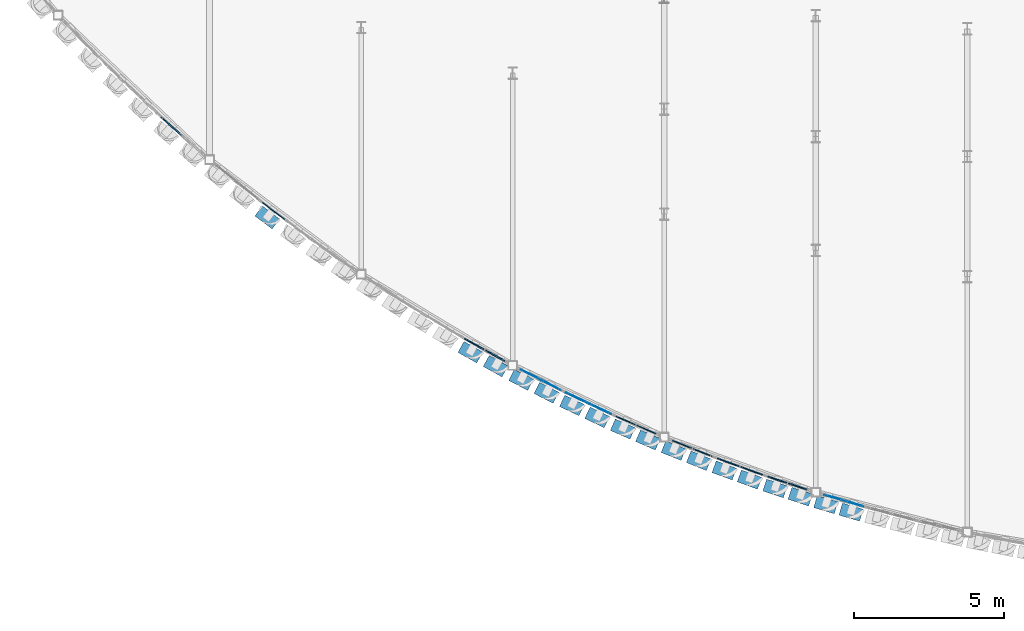
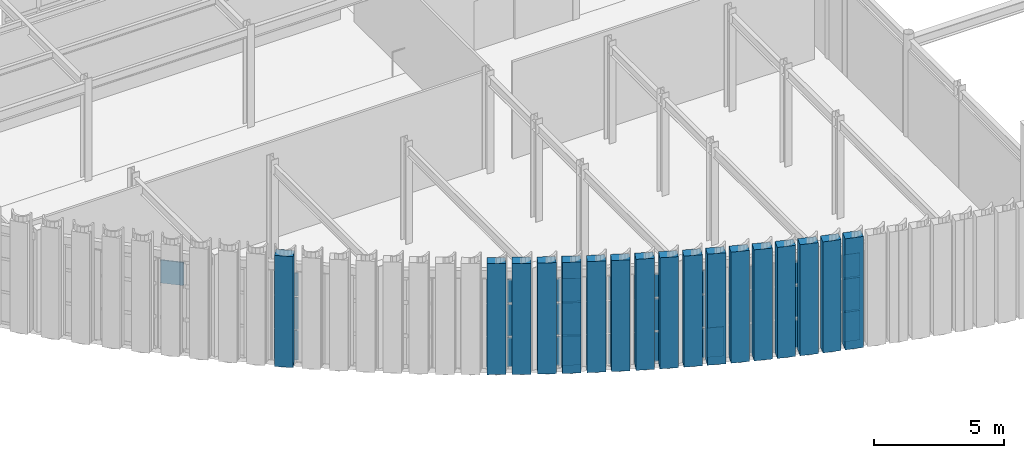
# One storey, part 81 of 126: 67 plates, 10 elements without a shape of their own.
"""IFC4 building model written with IfcOpenShell, lengths in metres."""

from ifc_helpers import new_model, si_unit, direction, frame, origin, origin_2d, place, context, subcontext, project, spatial, rectangle, extrude, material, layer, layer_set, type_object, element, aggregate, save


model = new_model("IFC4")

# Units and contexts
model_context = context("Model", 3, precision=1e-05, world=origin(), true_north=direction((0.0, 1.0)))
body_context = subcontext(model_context, "Body", "Model", "MODEL_VIEW")
ifc_project = project(units=[si_unit("LENGTHUNIT", "METRE"), si_unit("AREAUNIT", "SQUARE_METRE"), si_unit("VOLUMEUNIT", "CUBIC_METRE"), si_unit("PLANEANGLEUNIT", "RADIAN"), si_unit("MASSUNIT", "GRAM", prefix="KILO")], contexts=[model_context])

# Site, building, storey
site_placement = place(None, origin())
site = spatial("IfcSite", under=ifc_project, at=site_placement, CompositionType="ELEMENT")
building_placement = place(site_placement, origin())
building = spatial("IfcBuilding", under=site, at=building_placement, Name="Solvadek Multi-Sports Hall", CompositionType="ELEMENT")
storey_placement = place(building_placement, frame((0.0, 0.0, 9.60009765625)))
storey = spatial("IfcBuildingStorey", under=building, at=storey_placement, Name="L02", CompositionType="ELEMENT", Elevation=9.60009765625)

# Curtain wall, plates
ifc_material_1 = material(Name="Anodised aluminium", Category="aluminium")
ifc_layer_1 = layer(ifc_material_1, 0.159912109375, Name="Anodised aluminium")
ifc_layer_set_1 = layer_set([ifc_layer_1], Name="Anodised aluminium")
curtain_wall_type_1 = type_object("IfcCurtainWallType", Name="ENV-CW-163X420", PredefinedType="USERDEFINED", material=ifc_layer_set_1)
curtain_wall_1_placement = place(storey_placement, origin())
curtain_wall_1 = element("IfcCurtainWall", 1, at=curtain_wall_1_placement, inside=storey, type_object=curtain_wall_type_1, Name="L02 Crescent Curved Curtain Wall #32", ObjectType="CURTAIN WALL", PredefinedType="USERDEFINED")
ifc_material_2 = material(Name="Tempered laminated low-E glass", Category="glass")
ifc_layer_2 = layer(ifc_material_2, 0.02392578125, Name="Tempered laminated low-E glass")
ifc_layer_set_2 = layer_set([ifc_layer_2], Name="Tempered laminated low-E glass")
plate_type_1 = type_object("IfcPlateType", Name="ENV-CWP-01", PredefinedType="CURTAIN_PANEL", material=ifc_layer_set_2)
plate_1_placement = place(storey_placement, frame((52.34716796875, -6.626953125, 0.06494140625), z_axis=(0.0, 0.0, 1.0), x_axis=(0.889417075143, -0.457096561401, 0.0)))
plate_1 = element("IfcPlate", 2, at=plate_1_placement, type_object=plate_type_1, Name="CW-15 panel 1.1", PredefinedType="CURTAIN_PANEL", context=body_context, shape_type="SweptSolid", body=[
    extrude(rectangle(XDim=0.7158203125, YDim=0.02392578125, at=origin_2d()), origin(), (0.0, 0.0, 1.0), 1.37255859375),
])
plate_2_placement = place(storey_placement, frame((52.34716796875, -6.626953125, 1.50244140625), z_axis=(0.0, 0.0, 1.0), x_axis=(0.889417075143, -0.457096561401, 0.0)))
plate_2 = element("IfcPlate", 3, at=plate_2_placement, type_object=plate_type_1, Name="CW-15 panel 1.2", PredefinedType="CURTAIN_PANEL", context=body_context, shape_type="SweptSolid", body=[
    extrude(rectangle(XDim=0.7158203125, YDim=0.02392578125, at=origin_2d()), origin(), (0.0, 0.0, 1.0), 1.489013671875),
])
plate_3_placement = place(storey_placement, frame((52.34716796875, -6.626953125, 3.056396484375), z_axis=(0.0, 0.0, 1.0), x_axis=(0.889417075143, -0.457096561401, 0.0)))
plate_3 = element("IfcPlate", 4, at=plate_3_placement, type_object=plate_type_1, Name="CW-15 panel 1.3", PredefinedType="CURTAIN_PANEL", context=body_context, shape_type="SweptSolid", body=[
    extrude(rectangle(XDim=0.7158203125, YDim=0.02392578125, at=origin_2d()), origin(), (0.0, 0.0, 1.0), 1.07861328125),
])
plate_4_placement = place(storey_placement, frame((53.041748046875, -6.98388671875, 0.06494140625), z_axis=(0.0, 0.0, 1.0), x_axis=(0.889417075143, -0.457096561401, 0.0)))
plate_4 = element("IfcPlate", 5, at=plate_4_placement, type_object=plate_type_1, Name="CW-15 panel 2.1", PredefinedType="CURTAIN_PANEL", context=body_context, shape_type="SweptSolid", body=[
    extrude(rectangle(XDim=0.7158203125, YDim=0.02392578125, at=origin_2d()), origin(), (0.0, 0.0, 1.0), 1.37255859375),
])
plate_5_placement = place(storey_placement, frame((53.041748046875, -6.98388671875, 1.50244140625), z_axis=(0.0, 0.0, 1.0), x_axis=(0.889417075143, -0.457096561401, 0.0)))
plate_5 = element("IfcPlate", 6, at=plate_5_placement, type_object=plate_type_1, Name="CW-15 panel 2.2", PredefinedType="CURTAIN_PANEL", context=body_context, shape_type="SweptSolid", body=[
    extrude(rectangle(XDim=0.7158203125, YDim=0.02392578125, at=origin_2d()), origin(), (0.0, 0.0, 1.0), 1.489013671875),
])
plate_6_placement = place(storey_placement, frame((53.041748046875, -6.98388671875, 3.056396484375), z_axis=(0.0, 0.0, 1.0), x_axis=(0.889417075143, -0.457096561401, 0.0)))
plate_6 = element("IfcPlate", 7, at=plate_6_placement, type_object=plate_type_1, Name="CW-15 panel 2.3", PredefinedType="CURTAIN_PANEL", context=body_context, shape_type="SweptSolid", body=[
    extrude(rectangle(XDim=0.7158203125, YDim=0.02392578125, at=origin_2d()), origin(), (0.0, 0.0, 1.0), 1.07861328125),
])
aggregate(curtain_wall_1, [plate_1, plate_2, plate_3, plate_4, plate_5, plate_6])

ifc_layer_3 = layer(ifc_material_1, 0.159912109375, Name="Anodised aluminium")
ifc_layer_set_3 = layer_set([ifc_layer_3], Name="Anodised aluminium")
curtain_wall_type_2 = type_object("IfcCurtainWallType", Name="ENV-CW-149X420", PredefinedType="USERDEFINED", material=ifc_layer_set_3)
curtain_wall_2_placement = place(storey_placement, origin())
curtain_wall_2 = element("IfcCurtainWall", 8, at=curtain_wall_2_placement, inside=storey, type_object=curtain_wall_type_2, Name="L02 Crescent Curved Curtain Wall #44", ObjectType="CURTAIN WALL", PredefinedType="USERDEFINED")
plate_7_placement = place(storey_placement, frame((62.482666015625, -10.740966796875, 0.06005859375), z_axis=(0.0, 0.0, 1.0), x_axis=(0.959068713434, -0.283173450223, 0.0)))
plate_7 = element("IfcPlate", 9, at=plate_7_placement, type_object=plate_type_1, Name="CW-21 panel 1.1", PredefinedType="CURTAIN_PANEL", context=body_context, shape_type="SweptSolid", body=[
    extrude(rectangle(XDim=0.639404296875, YDim=0.02392578125, at=origin_2d()), origin(), (0.0, 0.0, 1.0), 1.3798828125),
])
plate_8_placement = place(storey_placement, frame((62.482666015625, -10.740966796875, 1.5), z_axis=(0.0, 0.0, 1.0), x_axis=(0.959068713434, -0.283173450223, 0.0)))
plate_8 = element("IfcPlate", 10, at=plate_8_placement, type_object=plate_type_1, Name="CW-21 panel 1.2", PredefinedType="CURTAIN_PANEL", context=body_context, shape_type="SweptSolid", body=[
    extrude(rectangle(XDim=0.639404296875, YDim=0.02392578125, at=origin_2d()), origin(), (0.0, 0.0, 1.0), 1.493896484375),
])
plate_9_placement = place(storey_placement, frame((62.482666015625, -10.740966796875, 3.053955078125), z_axis=(0.0, 0.0, 1.0), x_axis=(0.959068713434, -0.283173450223, 0.0)))
plate_9 = element("IfcPlate", 11, at=plate_9_placement, type_object=plate_type_1, Name="CW-21 panel 1.3", PredefinedType="CURTAIN_PANEL", context=body_context, shape_type="SweptSolid", body=[
    extrude(rectangle(XDim=0.639404296875, YDim=0.02392578125, at=origin_2d()), origin(), (0.0, 0.0, 1.0), 1.0859375),
])
plate_10_placement = place(storey_placement, frame((63.1630859375, -10.94189453125, 0.06005859375), z_axis=(0.0, 0.0, 1.0), x_axis=(0.959068713434, -0.283173450223, 0.0)))
plate_10 = element("IfcPlate", 12, at=plate_10_placement, type_object=plate_type_1, Name="CW-21 panel 2.1", PredefinedType="CURTAIN_PANEL", context=body_context, shape_type="SweptSolid", body=[
    extrude(rectangle(XDim=0.639404296875, YDim=0.02392578125, at=origin_2d()), origin(), (0.0, 0.0, 1.0), 1.3798828125),
])
plate_11_placement = place(storey_placement, frame((63.1630859375, -10.94189453125, 1.5), z_axis=(0.0, 0.0, 1.0), x_axis=(0.959068713434, -0.283173450223, 0.0)))
plate_11 = element("IfcPlate", 13, at=plate_11_placement, type_object=plate_type_1, Name="CW-21 panel 2.2", PredefinedType="CURTAIN_PANEL", context=body_context, shape_type="SweptSolid", body=[
    extrude(rectangle(XDim=0.639404296875, YDim=0.02392578125, at=origin_2d()), origin(), (0.0, 0.0, 1.0), 1.493896484375),
])
plate_12_placement = place(storey_placement, frame((63.1630859375, -10.94189453125, 3.053955078125), z_axis=(0.0, 0.0, 1.0), x_axis=(0.959068713434, -0.283173450223, 0.0)))
plate_12 = element("IfcPlate", 14, at=plate_12_placement, type_object=plate_type_1, Name="CW-21 panel 2.3", PredefinedType="CURTAIN_PANEL", context=body_context, shape_type="SweptSolid", body=[
    extrude(rectangle(XDim=0.639404296875, YDim=0.02392578125, at=origin_2d()), origin(), (0.0, 0.0, 1.0), 1.0859375),
])
aggregate(curtain_wall_2, [plate_7, plate_8, plate_9, plate_10, plate_11, plate_12])

ifc_layer_4 = layer(ifc_material_1, 0.159912109375, Name="Anodised aluminium")
ifc_layer_set_4 = layer_set([ifc_layer_4], Name="Anodised aluminium")
curtain_wall_type_3 = type_object("IfcCurtainWallType", Name="ENV-CW-205X420", PredefinedType="USERDEFINED", material=ifc_layer_set_4)
curtain_wall_3_placement = place(storey_placement, origin())
curtain_wall_3 = element("IfcCurtainWall", 15, at=curtain_wall_3_placement, inside=storey, type_object=curtain_wall_type_3, Name="L02 Crescent Curved Curtain Wall #22", ObjectType="CURTAIN WALL", PredefinedType="USERDEFINED")
ifc_layer_5 = layer(ifc_material_2, 0.028076171875, Name="Tempered laminated low-E glass")
ifc_layer_set_5 = layer_set([ifc_layer_5], Name="Tempered laminated low-E glass")
plate_type_2 = type_object("IfcPlateType", Name="ENV-CWP-02", PredefinedType="CURTAIN_PANEL", material=ifc_layer_set_5)
plate_13_placement = place(storey_placement, frame((43.77001953125, -1.16357421875, 0.06005859375), z_axis=(0.0, 0.0, 1.0), x_axis=(0.798477265694, -0.602024963078, 0.0)))
plate_13 = element("IfcPlate", 16, at=plate_13_placement, type_object=plate_type_2, Name="CW-10 panel 1.1", PredefinedType="CURTAIN_PANEL", context=body_context, shape_type="SweptSolid", body=[
    extrude(rectangle(XDim=0.9287109375, YDim=0.028076171875, at=origin_2d()), origin(), (0.0, 0.0, 1.0), 1.3798828125),
])
plate_14_placement = place(storey_placement, frame((43.77001953125, -1.16357421875, 1.5), z_axis=(0.0, 0.0, 1.0), x_axis=(0.798477265694, -0.602024963078, 0.0)))
plate_14 = element("IfcPlate", 17, at=plate_14_placement, type_object=plate_type_2, Name="CW-10 panel 1.2", PredefinedType="CURTAIN_PANEL", context=body_context, shape_type="SweptSolid", body=[
    extrude(rectangle(XDim=0.9287109375, YDim=0.028076171875, at=origin_2d()), origin(), (0.0, 0.0, 1.0), 1.493896484375),
])
plate_15_placement = place(storey_placement, frame((43.77001953125, -1.16357421875, 3.053955078125), z_axis=(0.0, 0.0, 1.0), x_axis=(0.798477265694, -0.602024963078, 0.0)))
plate_15 = element("IfcPlate", 18, at=plate_15_placement, type_object=plate_type_2, Name="CW-10 panel 1.3", PredefinedType="CURTAIN_PANEL", context=body_context, shape_type="SweptSolid", body=[
    extrude(rectangle(XDim=0.9287109375, YDim=0.028076171875, at=origin_2d()), origin(), (0.0, 0.0, 1.0), 1.0859375),
])
aggregate(curtain_wall_3, [plate_13, plate_14, plate_15])

ifc_layer_6 = layer(ifc_material_1, 0.159912109375, Name="Anodised aluminium")
ifc_layer_set_6 = layer_set([ifc_layer_6], Name="Anodised aluminium")
curtain_wall_type_4 = type_object("IfcCurtainWallType", Name="ENV-CW-181X420", PredefinedType="USERDEFINED", material=ifc_layer_set_6)
curtain_wall_4_placement = place(storey_placement, origin())
curtain_wall_4 = element("IfcCurtainWall", 19, at=curtain_wall_4_placement, inside=storey, type_object=curtain_wall_type_4, Name="L02 Crescent Curved Curtain Wall #34", ObjectType="CURTAIN WALL", PredefinedType="USERDEFINED")
plate_16_placement = place(storey_placement, frame((53.8955078125, -7.404541015625, 0.06494140625), z_axis=(0.0, 0.0, 1.0), x_axis=(0.903702895487, -0.428160106372, 0.0)))
plate_16 = element("IfcPlate", 20, at=plate_16_placement, type_object=plate_type_2, Name="CW-16 panel 1.1", PredefinedType="CURTAIN_PANEL", context=body_context, shape_type="SweptSolid", body=[
    extrude(rectangle(XDim=0.79833984375, YDim=0.028076171875, at=origin_2d()), origin(), (0.0, 0.0, 1.0), 1.37255859375),
])
plate_17_placement = place(storey_placement, frame((53.8955078125, -7.404541015625, 1.50244140625), z_axis=(0.0, 0.0, 1.0), x_axis=(0.903702895487, -0.428160106372, 0.0)))
plate_17 = element("IfcPlate", 21, at=plate_17_placement, type_object=plate_type_2, Name="CW-16 panel 1.2", PredefinedType="CURTAIN_PANEL", context=body_context, shape_type="SweptSolid", body=[
    extrude(rectangle(XDim=0.79833984375, YDim=0.028076171875, at=origin_2d()), origin(), (0.0, 0.0, 1.0), 1.489013671875),
])
plate_18_placement = place(storey_placement, frame((53.8955078125, -7.404541015625, 3.056396484375), z_axis=(0.0, 0.0, 1.0), x_axis=(0.903702895487, -0.428160106372, 0.0)))
plate_18 = element("IfcPlate", 22, at=plate_18_placement, type_object=plate_type_2, Name="CW-16 panel 1.3", PredefinedType="CURTAIN_PANEL", context=body_context, shape_type="SweptSolid", body=[
    extrude(rectangle(XDim=0.79833984375, YDim=0.028076171875, at=origin_2d()), origin(), (0.0, 0.0, 1.0), 1.07861328125),
])
plate_19_placement = place(storey_placement, frame((54.68017578125, -7.7763671875, 0.06494140625), z_axis=(0.0, 0.0, 1.0), x_axis=(0.903702895487, -0.428160106372, 0.0)))
plate_19 = element("IfcPlate", 23, at=plate_19_placement, type_object=plate_type_2, Name="CW-16 panel 2.1", PredefinedType="CURTAIN_PANEL", context=body_context, shape_type="SweptSolid", body=[
    extrude(rectangle(XDim=0.79833984375, YDim=0.028076171875, at=origin_2d()), origin(), (0.0, 0.0, 1.0), 1.37255859375),
])
plate_20_placement = place(storey_placement, frame((54.68017578125, -7.7763671875, 1.50244140625), z_axis=(0.0, 0.0, 1.0), x_axis=(0.903702895487, -0.428160106372, 0.0)))
plate_20 = element("IfcPlate", 24, at=plate_20_placement, type_object=plate_type_2, Name="CW-16 panel 2.2", PredefinedType="CURTAIN_PANEL", context=body_context, shape_type="SweptSolid", body=[
    extrude(rectangle(XDim=0.79833984375, YDim=0.028076171875, at=origin_2d()), origin(), (0.0, 0.0, 1.0), 1.489013671875),
])
plate_21_placement = place(storey_placement, frame((54.68017578125, -7.7763671875, 3.056396484375), z_axis=(0.0, 0.0, 1.0), x_axis=(0.903702895487, -0.428160106372, 0.0)))
plate_21 = element("IfcPlate", 25, at=plate_21_placement, type_object=plate_type_2, Name="CW-16 panel 2.3", PredefinedType="CURTAIN_PANEL", context=body_context, shape_type="SweptSolid", body=[
    extrude(rectangle(XDim=0.79833984375, YDim=0.028076171875, at=origin_2d()), origin(), (0.0, 0.0, 1.0), 1.07861328125),
])
aggregate(curtain_wall_4, [plate_16, plate_17, plate_18, plate_19, plate_20, plate_21])

ifc_layer_7 = layer(ifc_material_1, 0.159912109375, Name="Anodised aluminium")
ifc_layer_set_7 = layer_set([ifc_layer_7], Name="Anodised aluminium")
curtain_wall_type_5 = type_object("IfcCurtainWallType", Name="ENV-CW-157X420", PredefinedType="USERDEFINED", material=ifc_layer_set_7)
curtain_wall_5_placement = place(storey_placement, origin())
curtain_wall_5 = element("IfcCurtainWall", 26, at=curtain_wall_5_placement, inside=storey, type_object=curtain_wall_type_5, Name="L02 Crescent Curved Curtain Wall #36", ObjectType="CURTAIN WALL", PredefinedType="USERDEFINED")
ifc_layer_8 = layer(ifc_material_2, 0.031982421875, Name="Tempered laminated low-E glass")
ifc_layer_set_8 = layer_set([ifc_layer_8], Name="Tempered laminated low-E glass")
plate_type_3 = type_object("IfcPlateType", Name="ENV-CWP-03", PredefinedType="CURTAIN_PANEL", material=ifc_layer_set_8)
plate_22_placement = place(storey_placement, frame((55.532470703125, -8.16455078125, 0.06005859375), z_axis=(0.0, 0.0, 1.0), x_axis=(0.916926176116, -0.399056872581, 0.0)))
plate_22 = element("IfcPlate", 27, at=plate_22_placement, type_object=plate_type_3, Name="CW-17 panel 1.1", PredefinedType="CURTAIN_PANEL", context=body_context, shape_type="SweptSolid", body=[
    extrude(rectangle(XDim=0.69482421875, YDim=0.031982421875, at=origin_2d()), origin(), (0.0, 0.0, 1.0), 1.3798828125),
])
plate_23_placement = place(storey_placement, frame((55.532470703125, -8.16455078125, 1.5), z_axis=(0.0, 0.0, 1.0), x_axis=(0.916926176116, -0.399056872581, 0.0)))
plate_23 = element("IfcPlate", 28, at=plate_23_placement, type_object=plate_type_3, Name="CW-17 panel 1.2", PredefinedType="CURTAIN_PANEL", context=body_context, shape_type="SweptSolid", body=[
    extrude(rectangle(XDim=0.69482421875, YDim=0.031982421875, at=origin_2d()), origin(), (0.0, 0.0, 1.0), 1.493896484375),
])
plate_24_placement = place(storey_placement, frame((55.532470703125, -8.16455078125, 3.053955078125), z_axis=(0.0, 0.0, 1.0), x_axis=(0.916926176116, -0.399056872581, 0.0)))
plate_24 = element("IfcPlate", 29, at=plate_24_placement, type_object=plate_type_3, Name="CW-17 panel 1.3", PredefinedType="CURTAIN_PANEL", context=body_context, shape_type="SweptSolid", body=[
    extrude(rectangle(XDim=0.69482421875, YDim=0.031982421875, at=origin_2d()), origin(), (0.0, 0.0, 1.0), 1.0859375),
])
plate_25_placement = place(storey_placement, frame((56.224609375, -8.4658203125, 0.06005859375), z_axis=(0.0, 0.0, 1.0), x_axis=(0.916926176116, -0.399056872581, 0.0)))
plate_25 = element("IfcPlate", 30, at=plate_25_placement, type_object=plate_type_3, Name="CW-17 panel 2.1", PredefinedType="CURTAIN_PANEL", context=body_context, shape_type="SweptSolid", body=[
    extrude(rectangle(XDim=0.69482421875, YDim=0.031982421875, at=origin_2d()), origin(), (0.0, 0.0, 1.0), 1.3798828125),
])
plate_26_placement = place(storey_placement, frame((56.224609375, -8.4658203125, 1.5), z_axis=(0.0, 0.0, 1.0), x_axis=(0.916926176116, -0.399056872581, 0.0)))
plate_26 = element("IfcPlate", 31, at=plate_26_placement, type_object=plate_type_3, Name="CW-17 panel 2.2", PredefinedType="CURTAIN_PANEL", context=body_context, shape_type="SweptSolid", body=[
    extrude(rectangle(XDim=0.69482421875, YDim=0.031982421875, at=origin_2d()), origin(), (0.0, 0.0, 1.0), 1.493896484375),
])
plate_27_placement = place(storey_placement, frame((56.224609375, -8.4658203125, 3.053955078125), z_axis=(0.0, 0.0, 1.0), x_axis=(0.916926176116, -0.399056872581, 0.0)))
plate_27 = element("IfcPlate", 32, at=plate_27_placement, type_object=plate_type_3, Name="CW-17 panel 2.3", PredefinedType="CURTAIN_PANEL", context=body_context, shape_type="SweptSolid", body=[
    extrude(rectangle(XDim=0.69482421875, YDim=0.031982421875, at=origin_2d()), origin(), (0.0, 0.0, 1.0), 1.0859375),
])
aggregate(curtain_wall_5, [plate_22, plate_23, plate_24, plate_25, plate_26, plate_27])

ifc_layer_9 = layer(ifc_material_1, 0.159912109375, Name="Anodised aluminium")
ifc_layer_set_9 = layer_set([ifc_layer_9], Name="Anodised aluminium")
curtain_wall_type_6 = type_object("IfcCurtainWallType", Name="ENV-CW-155X420", PredefinedType="USERDEFINED", material=ifc_layer_set_9)
curtain_wall_6_placement = place(storey_placement, origin())
curtain_wall_6 = element("IfcCurtainWall", 33, at=curtain_wall_6_placement, inside=storey, type_object=curtain_wall_type_6, Name="L02 Crescent Curved Curtain Wall #38", ObjectType="CURTAIN WALL", PredefinedType="USERDEFINED")
ifc_layer_10 = layer(ifc_material_2, 0.035888671875, Name="Tempered laminated low-E glass")
ifc_layer_set_10 = layer_set([ifc_layer_10], Name="Tempered laminated low-E glass")
plate_type_4 = type_object("IfcPlateType", Name="ENV-CWP-04", PredefinedType="CURTAIN_PANEL", material=ifc_layer_set_10)
plate_28_placement = place(storey_placement, frame((57.4140625, -8.961669921875, 0.06005859375), z_axis=(0.0, 0.0, 1.0), x_axis=(0.928966641619, -0.370163448708, 0.0)))
plate_28 = element("IfcPlate", 34, at=plate_28_placement, type_object=plate_type_4, Name="CW-18 panel 1.1", PredefinedType="CURTAIN_PANEL", context=body_context, shape_type="SweptSolid", body=[
    extrude(rectangle(XDim=0.682861328125, YDim=0.035888671875, at=origin_2d()), origin(), (0.0, 0.0, 1.0), 1.3798828125),
])
plate_29_placement = place(storey_placement, frame((57.4140625, -8.961669921875, 1.5), z_axis=(0.0, 0.0, 1.0), x_axis=(0.928966641619, -0.370163448708, 0.0)))
plate_29 = element("IfcPlate", 35, at=plate_29_placement, type_object=plate_type_4, Name="CW-18 panel 1.2", PredefinedType="CURTAIN_PANEL", context=body_context, shape_type="SweptSolid", body=[
    extrude(rectangle(XDim=0.682861328125, YDim=0.035888671875, at=origin_2d()), origin(), (0.0, 0.0, 1.0), 1.493896484375),
])
plate_30_placement = place(storey_placement, frame((57.4140625, -8.961669921875, 3.053955078125), z_axis=(0.0, 0.0, 1.0), x_axis=(0.928966641619, -0.370163448708, 0.0)))
plate_30 = element("IfcPlate", 36, at=plate_30_placement, type_object=plate_type_4, Name="CW-18 panel 1.3", PredefinedType="CURTAIN_PANEL", context=body_context, shape_type="SweptSolid", body=[
    extrude(rectangle(XDim=0.682861328125, YDim=0.035888671875, at=origin_2d()), origin(), (0.0, 0.0, 1.0), 1.0859375),
])
plate_31_placement = place(storey_placement, frame((58.104248046875, -9.236572265625, 0.06005859375), z_axis=(0.0, 0.0, 1.0), x_axis=(0.928966641619, -0.370163448708, 0.0)))
plate_31 = element("IfcPlate", 37, at=plate_31_placement, type_object=plate_type_4, Name="CW-18 panel 2.1", PredefinedType="CURTAIN_PANEL", context=body_context, shape_type="SweptSolid", body=[
    extrude(rectangle(XDim=0.682861328125, YDim=0.035888671875, at=origin_2d()), origin(), (0.0, 0.0, 1.0), 1.3798828125),
])
aggregate(curtain_wall_6, [plate_28, plate_29, plate_30, plate_31])

ifc_layer_11 = layer(ifc_material_1, 0.159912109375, Name="Anodised aluminium")
ifc_layer_set_11 = layer_set([ifc_layer_11], Name="Anodised aluminium")
curtain_wall_type_7 = type_object("IfcCurtainWallType", Name="ENV-CW-173X420", PredefinedType="USERDEFINED", material=ifc_layer_set_11)
curtain_wall_7_placement = place(storey_placement, origin())
curtain_wall_7 = element("IfcCurtainWall", 38, at=curtain_wall_7_placement, inside=storey, type_object=curtain_wall_type_7, Name="L02 Crescent Curved Curtain Wall #40", ObjectType="CURTAIN WALL", PredefinedType="USERDEFINED")
ifc_layer_12 = layer(ifc_material_2, 0.0419921875, Name="Tempered laminated low-E glass")
ifc_layer_set_12 = layer_set([ifc_layer_12], Name="Tempered laminated low-E glass")
plate_type_5 = type_object("IfcPlateType", Name="ENV-CWP-05", PredefinedType="CURTAIN_PANEL", material=ifc_layer_set_12)
plate_32_placement = place(storey_placement, frame((58.9560546875, -9.56005859375, 0.06494140625), z_axis=(0.0, 0.0, 1.0), x_axis=(0.939991897727, -0.341196764651, 0.0)))
plate_32 = element("IfcPlate", 39, at=plate_32_placement, type_object=plate_type_5, Name="CW-19 panel 1.1", PredefinedType="CURTAIN_PANEL", context=body_context, shape_type="SweptSolid", body=[
    extrude(rectangle(XDim=0.769775390625, YDim=0.0419921875, at=origin_2d()), origin(), (0.0, 0.0, 1.0), 1.37255859375),
])
plate_33_placement = place(storey_placement, frame((58.9560546875, -9.56005859375, 1.50244140625), z_axis=(0.0, 0.0, 1.0), x_axis=(0.939991897727, -0.341196764651, 0.0)))
plate_33 = element("IfcPlate", 40, at=plate_33_placement, type_object=plate_type_5, Name="CW-19 panel 1.2", PredefinedType="CURTAIN_PANEL", context=body_context, shape_type="SweptSolid", body=[
    extrude(rectangle(XDim=0.769775390625, YDim=0.0419921875, at=origin_2d()), origin(), (0.0, 0.0, 1.0), 1.489013671875),
])
plate_34_placement = place(storey_placement, frame((58.9560546875, -9.56005859375, 3.056396484375), z_axis=(0.0, 0.0, 1.0), x_axis=(0.939991897727, -0.341196764651, 0.0)))
plate_34 = element("IfcPlate", 41, at=plate_34_placement, type_object=plate_type_5, Name="CW-19 panel 1.3", PredefinedType="CURTAIN_PANEL", context=body_context, shape_type="SweptSolid", body=[
    extrude(rectangle(XDim=0.769775390625, YDim=0.0419921875, at=origin_2d()), origin(), (0.0, 0.0, 1.0), 1.07861328125),
])
plate_35_placement = place(storey_placement, frame((59.74072265625, -9.8447265625, 0.06494140625), z_axis=(0.0, 0.0, 1.0), x_axis=(0.939991897727, -0.341196764651, 0.0)))
plate_35 = element("IfcPlate", 42, at=plate_35_placement, type_object=plate_type_5, Name="CW-19 panel 2.1", PredefinedType="CURTAIN_PANEL", context=body_context, shape_type="SweptSolid", body=[
    extrude(rectangle(XDim=0.769775390625, YDim=0.0419921875, at=origin_2d()), origin(), (0.0, 0.0, 1.0), 1.37255859375),
])
plate_36_placement = place(storey_placement, frame((59.74072265625, -9.8447265625, 1.50244140625), z_axis=(0.0, 0.0, 1.0), x_axis=(0.939991897727, -0.341196764651, 0.0)))
plate_36 = element("IfcPlate", 43, at=plate_36_placement, type_object=plate_type_5, Name="CW-19 panel 2.2", PredefinedType="CURTAIN_PANEL", context=body_context, shape_type="SweptSolid", body=[
    extrude(rectangle(XDim=0.769775390625, YDim=0.0419921875, at=origin_2d()), origin(), (0.0, 0.0, 1.0), 1.489013671875),
])
plate_37_placement = place(storey_placement, frame((59.74072265625, -9.8447265625, 3.056396484375), z_axis=(0.0, 0.0, 1.0), x_axis=(0.939991897727, -0.341196764651, 0.0)))
plate_37 = element("IfcPlate", 44, at=plate_37_placement, type_object=plate_type_5, Name="CW-19 panel 2.3", PredefinedType="CURTAIN_PANEL", context=body_context, shape_type="SweptSolid", body=[
    extrude(rectangle(XDim=0.769775390625, YDim=0.0419921875, at=origin_2d()), origin(), (0.0, 0.0, 1.0), 1.07861328125),
])
aggregate(curtain_wall_7, [plate_32, plate_33, plate_34, plate_35, plate_36, plate_37])

# Curtain wall, plate
ifc_layer_13 = layer(ifc_material_1, 0.159912109375, Name="Anodised aluminium")
ifc_layer_set_13 = layer_set([ifc_layer_13], Name="Anodised aluminium")
curtain_wall_type_8 = type_object("IfcCurtainWallType", Name="ENV-CW-198X420", PredefinedType="USERDEFINED", material=ifc_layer_set_13)
curtain_wall_8_placement = place(storey_placement, origin())
curtain_wall_8 = element("IfcCurtainWall", 45, at=curtain_wall_8_placement, inside=storey, type_object=curtain_wall_type_8, Name="L02 Crescent Curved Curtain Wall #18", ObjectType="CURTAIN WALL", PredefinedType="USERDEFINED")
ifc_layer_14 = layer(ifc_material_2, 0.048095703125, Name="Tempered laminated low-E glass")
ifc_layer_set_14 = layer_set([ifc_layer_14], Name="Tempered laminated low-E glass")
plate_type_6 = type_object("IfcPlateType", Name="ENV-CWP-06", PredefinedType="CURTAIN_PANEL", material=ifc_layer_set_14)
plate_38_placement = place(storey_placement, frame((40.354248046875, 1.671875, 3.056396484375), z_axis=(0.0, 0.0, 1.0), x_axis=(0.751217375879, -0.660054887246, 0.0)))
plate_38 = element("IfcPlate", 46, at=plate_38_placement, type_object=plate_type_6, Name="CW-08 panel 1.3", PredefinedType="CURTAIN_PANEL", context=body_context, shape_type="SweptSolid", body=[
    extrude(rectangle(XDim=0.897705078125, YDim=0.048095703125, at=origin_2d()), origin(), (0.0, 0.0, 1.0), 1.07861328125),
])
aggregate(curtain_wall_8, [plate_38])

# Curtain wall, plates
ifc_layer_15 = layer(ifc_material_1, 0.159912109375, Name="Anodised aluminium")
ifc_layer_set_15 = layer_set([ifc_layer_15], Name="Anodised aluminium")
curtain_wall_type_9 = type_object("IfcCurtainWallType", Name="ENV-CW-166X420", PredefinedType="USERDEFINED", material=ifc_layer_set_15)
curtain_wall_9_placement = place(storey_placement, origin())
curtain_wall_9 = element("IfcCurtainWall", 47, at=curtain_wall_9_placement, inside=storey, type_object=curtain_wall_type_9, Name="L02 Crescent Curved Curtain Wall #30", ObjectType="CURTAIN WALL", PredefinedType="USERDEFINED")
plate_39_placement = place(storey_placement, frame((50.473876953125, -5.610107421875, 0.06005859375), z_axis=(0.0, 0.0, 1.0), x_axis=(0.873955482835, -0.486005981468, 0.0)))
plate_39 = element("IfcPlate", 48, at=plate_39_placement, type_object=plate_type_6, Name="CW-14 panel 1.1", PredefinedType="CURTAIN_PANEL", context=body_context, shape_type="SweptSolid", body=[
    extrude(rectangle(XDim=0.732666015625, YDim=0.048095703125, at=origin_2d()), origin(), (0.0, 0.0, 1.0), 1.3798828125),
])
plate_40_placement = place(storey_placement, frame((50.473876953125, -5.610107421875, 1.5), z_axis=(0.0, 0.0, 1.0), x_axis=(0.873955482835, -0.486005981468, 0.0)))
plate_40 = element("IfcPlate", 49, at=plate_40_placement, type_object=plate_type_6, Name="CW-14 panel 1.2", PredefinedType="CURTAIN_PANEL", context=body_context, shape_type="SweptSolid", body=[
    extrude(rectangle(XDim=0.732666015625, YDim=0.048095703125, at=origin_2d()), origin(), (0.0, 0.0, 1.0), 1.493896484375),
])
plate_41_placement = place(storey_placement, frame((50.473876953125, -5.610107421875, 3.053955078125), z_axis=(0.0, 0.0, 1.0), x_axis=(0.873955482835, -0.486005981468, 0.0)))
plate_41 = element("IfcPlate", 50, at=plate_41_placement, type_object=plate_type_6, Name="CW-14 panel 1.3", PredefinedType="CURTAIN_PANEL", context=body_context, shape_type="SweptSolid", body=[
    extrude(rectangle(XDim=0.732666015625, YDim=0.048095703125, at=origin_2d()), origin(), (0.0, 0.0, 1.0), 1.0859375),
])
plate_42_placement = place(storey_placement, frame((51.1708984375, -5.99755859375, 0.06005859375), z_axis=(0.0, 0.0, 1.0), x_axis=(0.873955482835, -0.486005981468, 0.0)))
plate_42 = element("IfcPlate", 51, at=plate_42_placement, type_object=plate_type_6, Name="CW-14 panel 2.1", PredefinedType="CURTAIN_PANEL", context=body_context, shape_type="SweptSolid", body=[
    extrude(rectangle(XDim=0.732666015625, YDim=0.048095703125, at=origin_2d()), origin(), (0.0, 0.0, 1.0), 1.3798828125),
])
plate_43_placement = place(storey_placement, frame((51.1708984375, -5.99755859375, 1.5), z_axis=(0.0, 0.0, 1.0), x_axis=(0.873955482835, -0.486005981468, 0.0)))
plate_43 = element("IfcPlate", 52, at=plate_43_placement, type_object=plate_type_6, Name="CW-14 panel 2.2", PredefinedType="CURTAIN_PANEL", context=body_context, shape_type="SweptSolid", body=[
    extrude(rectangle(XDim=0.732666015625, YDim=0.048095703125, at=origin_2d()), origin(), (0.0, 0.0, 1.0), 1.493896484375),
])
plate_44_placement = place(storey_placement, frame((51.1708984375, -5.99755859375, 3.053955078125), z_axis=(0.0, 0.0, 1.0), x_axis=(0.873955482835, -0.486005981468, 0.0)))
plate_44 = element("IfcPlate", 53, at=plate_44_placement, type_object=plate_type_6, Name="CW-14 panel 2.3", PredefinedType="CURTAIN_PANEL", context=body_context, shape_type="SweptSolid", body=[
    extrude(rectangle(XDim=0.732666015625, YDim=0.048095703125, at=origin_2d()), origin(), (0.0, 0.0, 1.0), 1.0859375),
])
aggregate(curtain_wall_9, [plate_39, plate_40, plate_41, plate_42, plate_43, plate_44])

ifc_layer_16 = layer(ifc_material_1, 0.159912109375, Name="Anodised aluminium")
ifc_layer_set_16 = layer_set([ifc_layer_16], Name="Anodised aluminium")
curtain_wall_type_10 = type_object("IfcCurtainWallType", Name="ENV-CW-151X420", PredefinedType="USERDEFINED", material=ifc_layer_set_16)
curtain_wall_10_placement = place(storey_placement, origin())
curtain_wall_10 = element("IfcCurtainWall", 54, at=curtain_wall_10_placement, inside=storey, type_object=curtain_wall_type_10, Name="L02 Crescent Curved Curtain Wall #42", ObjectType="CURTAIN WALL", PredefinedType="USERDEFINED")
plate_45_placement = place(storey_placement, frame((60.593505859375, -10.140380859375, 0.06494140625), z_axis=(0.0, 0.0, 1.0), x_axis=(0.950049193251, -0.312100192891, 0.0)))
plate_45 = element("IfcPlate", 55, at=plate_45_placement, type_object=plate_type_6, Name="CW-20 panel 1.1", PredefinedType="CURTAIN_PANEL", context=body_context, shape_type="SweptSolid", body=[
    extrude(rectangle(XDim=0.6552734375, YDim=0.048095703125, at=origin_2d()), origin(), (0.0, 0.0, 1.0), 1.37255859375),
])
plate_46_placement = place(storey_placement, frame((60.593505859375, -10.140380859375, 1.50244140625), z_axis=(0.0, 0.0, 1.0), x_axis=(0.950049193251, -0.312100192891, 0.0)))
plate_46 = element("IfcPlate", 56, at=plate_46_placement, type_object=plate_type_6, Name="CW-20 panel 1.2", PredefinedType="CURTAIN_PANEL", context=body_context, shape_type="SweptSolid", body=[
    extrude(rectangle(XDim=0.6552734375, YDim=0.048095703125, at=origin_2d()), origin(), (0.0, 0.0, 1.0), 1.489013671875),
])
plate_47_placement = place(storey_placement, frame((60.593505859375, -10.140380859375, 3.056396484375), z_axis=(0.0, 0.0, 1.0), x_axis=(0.950049193251, -0.312100192891, 0.0)))
plate_47 = element("IfcPlate", 57, at=plate_47_placement, type_object=plate_type_6, Name="CW-20 panel 1.3", PredefinedType="CURTAIN_PANEL", context=body_context, shape_type="SweptSolid", body=[
    extrude(rectangle(XDim=0.6552734375, YDim=0.048095703125, at=origin_2d()), origin(), (0.0, 0.0, 1.0), 1.07861328125),
])
plate_48_placement = place(storey_placement, frame((61.27783203125, -10.365234375, 0.06494140625), z_axis=(0.0, 0.0, 1.0), x_axis=(0.950049193251, -0.312100192891, 0.0)))
plate_48 = element("IfcPlate", 58, at=plate_48_placement, type_object=plate_type_6, Name="CW-20 panel 2.1", PredefinedType="CURTAIN_PANEL", context=body_context, shape_type="SweptSolid", body=[
    extrude(rectangle(XDim=0.6552734375, YDim=0.048095703125, at=origin_2d()), origin(), (0.0, 0.0, 1.0), 1.37255859375),
])
plate_49_placement = place(storey_placement, frame((61.27783203125, -10.365234375, 1.50244140625), z_axis=(0.0, 0.0, 1.0), x_axis=(0.950049193251, -0.312100192891, 0.0)))
plate_49 = element("IfcPlate", 59, at=plate_49_placement, type_object=plate_type_6, Name="CW-20 panel 2.2", PredefinedType="CURTAIN_PANEL", context=body_context, shape_type="SweptSolid", body=[
    extrude(rectangle(XDim=0.6552734375, YDim=0.048095703125, at=origin_2d()), origin(), (0.0, 0.0, 1.0), 1.489013671875),
])
plate_50_placement = place(storey_placement, frame((61.27783203125, -10.365234375, 3.056396484375), z_axis=(0.0, 0.0, 1.0), x_axis=(0.950049193251, -0.312100192891, 0.0)))
plate_50 = element("IfcPlate", 60, at=plate_50_placement, type_object=plate_type_6, Name="CW-20 panel 2.3", PredefinedType="CURTAIN_PANEL", context=body_context, shape_type="SweptSolid", body=[
    extrude(rectangle(XDim=0.6552734375, YDim=0.048095703125, at=origin_2d()), origin(), (0.0, 0.0, 1.0), 1.07861328125),
])
aggregate(curtain_wall_10, [plate_45, plate_46, plate_47, plate_48, plate_49, plate_50])

# Plates
ifc_material_3 = material(Name="Perforated champagne-bronze anodised aluminium", Category="aluminium")
ifc_layer_17 = layer(ifc_material_3, 0.419921875, Name="Perforated champagne-bronze anodised aluminium")
ifc_layer_set_17 = layer_set([ifc_layer_17], Name="Perforated champagne-bronze anodised aluminium")
plate_type_7 = type_object("IfcPlateType", Name="ENV-FLT-520", PredefinedType="USERDEFINED", material=ifc_layer_set_17)
for number, where, z_axis, x_axis, name in (
    (61, (43.564453125, -1.38427734375, 0.0400390625), (0.0, 0.0, 1.0), (0.798475077393, -0.602027865453, 0.0), "L02 Half-Cylinder Colonnade Flute #43"),
    (62, (50.3466796875, -5.882568359375, 0.0400390625), (0.0, 0.0, 1.0), (0.873929914462, -0.486051956696, 0.0), "L02 Half-Cylinder Colonnade Flute #59"),
    (63, (51.18994140625, -6.3515625, 0.0400390625), (0.0, 0.0, 1.0), (0.873929914462, -0.486051956696, 0.0), "L02 Half-Cylinder Colonnade Flute #60"),
    (64, (52.042236328125, -6.8076171875, 0.0400390625), (0.0, 0.0, 1.0), (0.889426842209, -0.457077556174, 0.0), "L02 Half-Cylinder Colonnade Flute #63"),
    (65, (52.8857421875, -7.240966796875, 0.0400390625), (0.0, 0.0, 1.0), (0.889426842209, -0.457077556174, 0.0), "L02 Half-Cylinder Colonnade Flute #64"),
    (66, (53.73779296875, -7.661865234375, 0.0400390625), (0.0, 0.0, 1.0), (0.903719292524, -0.428125495994, 0.0), "L02 Half-Cylinder Colonnade Flute #67"),
    (67, (54.5810546875, -8.061279296875, 0.0400390625), (0.0, 0.0, 1.0), (0.903719292524, -0.428125495994, 0.0), "L02 Half-Cylinder Colonnade Flute #68"),
    (68, (55.433349609375, -8.44873046875, 0.0400390625), (0.0, 0.0, 1.0), (0.916917898667, -0.399075891409, 0.0), "L02 Half-Cylinder Colonnade Flute #71"),
    (69, (56.27685546875, -8.815673828125, 0.0400390625), (0.0, 0.0, 1.0), (0.916917898667, -0.399075891409, 0.0), "L02 Half-Cylinder Colonnade Flute #72"),
    (70, (57.12890625, -9.1708984375, 0.0400390625), (0.0, 0.0, 1.0), (0.92898095972, -0.370127513808, 0.0), "L02 Half-Cylinder Colonnade Flute #75"),
    (71, (57.972412109375, -9.507080078125, 0.0400390625), (0.0, 0.0, 1.0), (0.92898095972, -0.370127513808, 0.0), "L02 Half-Cylinder Colonnade Flute #76"),
    (72, (58.824462890625, -9.831298828125, 0.0400390625), (0.0, 0.0, 1.0), (0.940004762404, -0.341161320576, 0.0), "L02 Half-Cylinder Colonnade Flute #79"),
    (73, (59.66796875, -10.137451171875, 0.0400390625), (0.0, 0.0, 1.0), (0.940004762404, -0.341161320576, 0.0), "L02 Half-Cylinder Colonnade Flute #80"),
    (74, (60.52001953125, -10.43212890625, 0.0400390625), (0.0, 0.0, 1.0), (0.950042962408, -0.312119159264, 0.0), "L02 Half-Cylinder Colonnade Flute #83"),
    (75, (61.363525390625, -10.709228515625, 0.0400390625), (0.0, 0.0, 1.0), (0.950042962408, -0.312119159264, 0.0), "L02 Half-Cylinder Colonnade Flute #84"),
    (76, (62.215576171875, -10.974853515625, 0.0400390625), (0.0, 0.0, 1.0), (0.959064393359, -0.2831880813, 0.0), "L02 Half-Cylinder Colonnade Flute #87"),
    (77, (63.05908203125, -11.223876953125, 0.0400390625), (0.0, 0.0, 1.0), (0.959064393359, -0.2831880813, 0.0), "L02 Half-Cylinder Colonnade Flute #88"),
):
    element("IfcPlate", number, at=place(storey_placement, frame(where, z_axis=z_axis, x_axis=x_axis)), inside=storey, type_object=plate_type_7, Name=name, ObjectType="FLANGED_SHEET", PredefinedType="USERDEFINED", context=body_context, shape_type="SweptSolid", body=[
        extrude(rectangle(XDim=0.719970703125, YDim=0.419921875, at=origin_2d()), origin(), (0.0, 0.0, 1.0), 5.199951171875),
    ])

save(model, "model.ifc")
